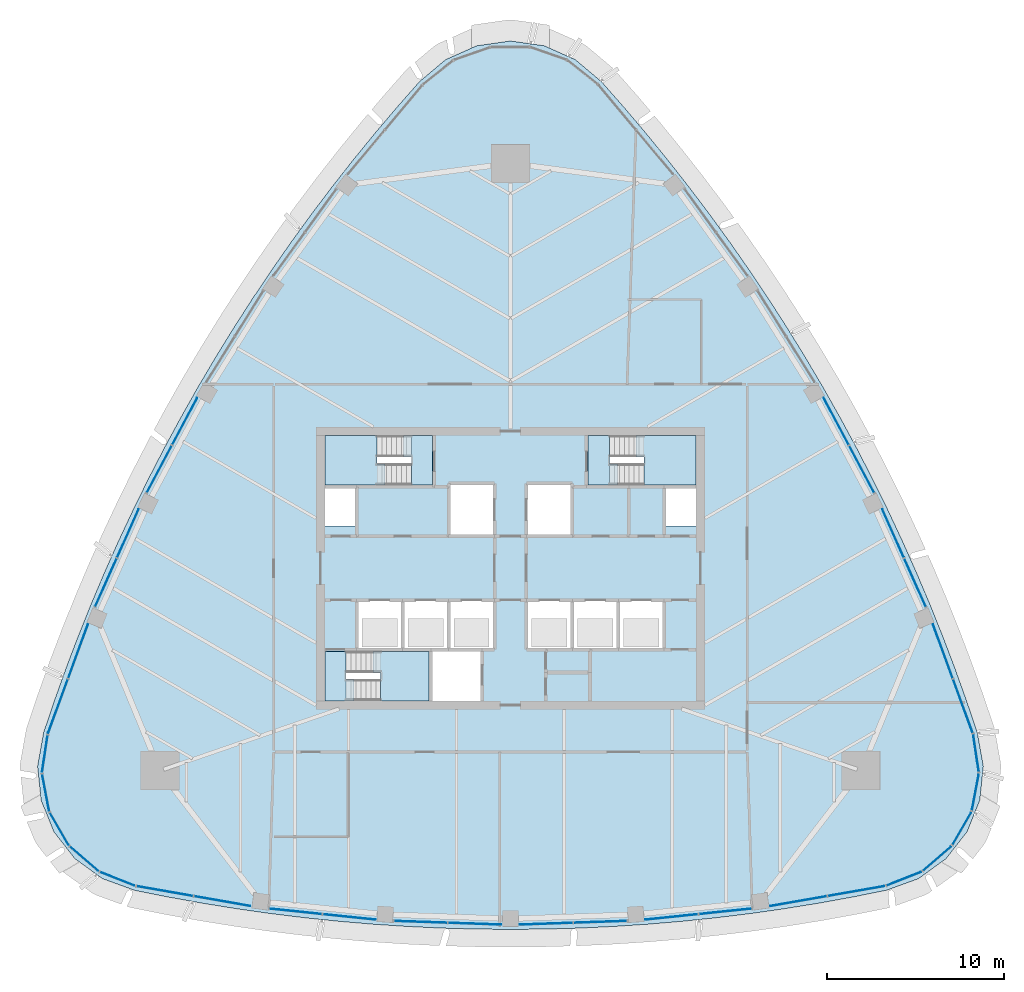
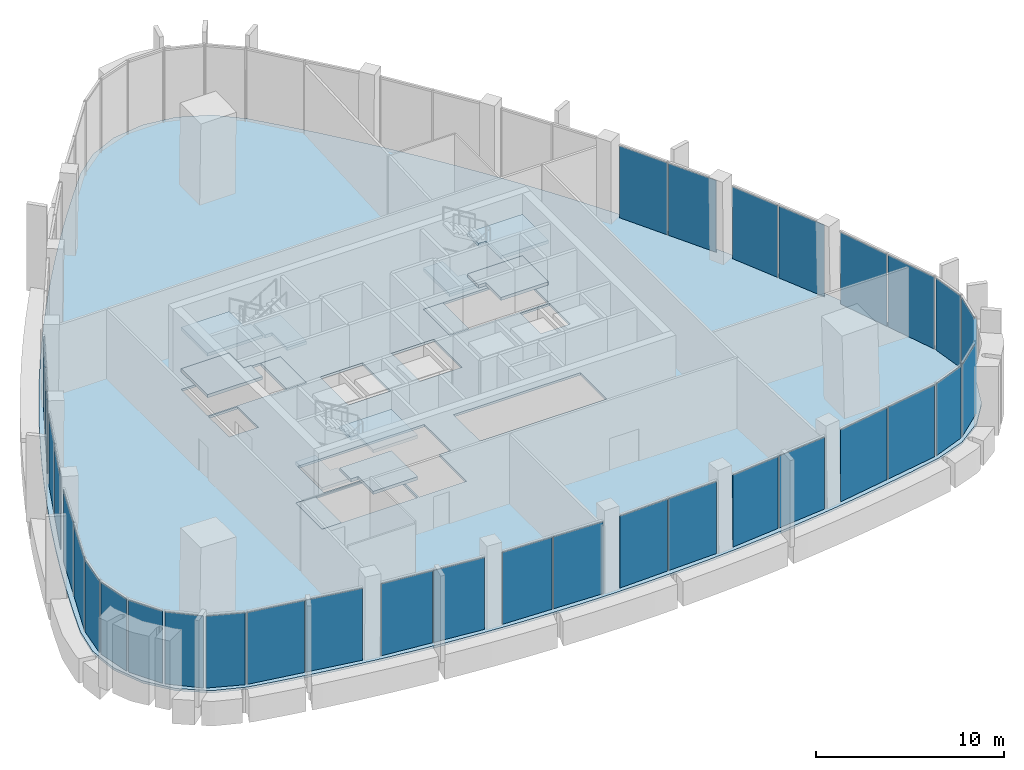
# One storey, part 7 of 19: 34 plates, 13 slabs, 25 elements without a shape of their own.
"""IFC4 building model written with IfcOpenShell, lengths in metres."""

from ifc_helpers import new_model, si_unit, direction, frame, origin, origin_2d, place, context, subcontext, project, spatial, polyline, rectangle, outline, extrude, material, layer, layer_set, type_object, element, aggregate, save


model = new_model("IFC4")

# Units and contexts
model_context = context("Model", 3, precision=1e-05, world=origin(), true_north=direction((0.0, 1.0)))
body_context = subcontext(model_context, "Body", "Model", "MODEL_VIEW")
ifc_project = project(units=[si_unit("LENGTHUNIT", "METRE"), si_unit("AREAUNIT", "SQUARE_METRE"), si_unit("VOLUMEUNIT", "CUBIC_METRE"), si_unit("PLANEANGLEUNIT", "RADIAN"), si_unit("MASSUNIT", "GRAM", prefix="KILO")], contexts=[model_context])

# Site, building, storey
site_placement = place(None, origin())
site = spatial("IfcSite", under=ifc_project, at=site_placement, CompositionType="ELEMENT")
building_placement = place(site_placement, origin())
building = spatial("IfcBuilding", under=site, at=building_placement, Name="Sierra Prisma Convention Tower", CompositionType="ELEMENT")
storey_placement = place(building_placement, frame((0.0, 0.0, 319.0)))
storey = spatial("IfcBuildingStorey", under=building, at=storey_placement, Name="L73", CompositionType="ELEMENT", Elevation=319.0)

# Curtain wall, plates
ifc_material_1 = material(Name="Aluminium and glass curtain wall", Category="aluminium")
ifc_layer_1 = layer(ifc_material_1, 0.179931640625)
ifc_layer_set_1 = layer_set([ifc_layer_1], Name="CW-1 Plain shaft curtain wall")
curtain_wall_type = type_object("IfcCurtainWallType", Name="CW-1 Plain shaft curtain wall", PredefinedType="NOTDEFINED", material=ifc_layer_set_1)
curtain_wall_1_placement = place(storey_placement, origin())
curtain_wall_1 = element("IfcCurtainWall", 1, at=curtain_wall_1_placement, inside=storey, type_object=curtain_wall_type, Name="CW-1 S1 L73", PredefinedType="NOTDEFINED")
ifc_material_2 = material(Name="Tinted glass bronze-grey IGU", Category="glass")
ifc_layer_2 = layer(ifc_material_2, 0.028076171875)
ifc_layer_set_2 = layer_set([ifc_layer_2], Name="CW-1 glass panel")
plate_type = type_object("IfcPlateType", Name="CW-1 glass panel", PredefinedType="CURTAIN_PANEL", material=ifc_layer_set_2)
plate_1_placement = place(storey_placement, frame((-19.557373046875, -18.269287109375, 0.0), z_axis=(0.0, 0.0, 1.0), x_axis=(0.985109293024, -0.171929290112, 0.0)))
plate_1 = element("IfcPlate", 2, at=plate_1_placement, type_object=plate_type, Name="CW-1 panel S1.1", PredefinedType="CURTAIN_PANEL", context=body_context, shape_type="SweptSolid", body=[
    extrude(rectangle(XDim=3.23095703125, YDim=0.028076171875, at=origin_2d()), origin(), (0.0, 0.0, 1.0), 4.679931640625),
])
plate_2_placement = place(storey_placement, frame((-16.305419921875, -18.8369140625, 0.0), z_axis=(0.0, 0.0, 1.0), x_axis=(0.985109293024, -0.171929290112, 0.0)))
plate_2 = element("IfcPlate", 3, at=plate_2_placement, type_object=plate_type, Name="CW-1 panel S1.2", PredefinedType="CURTAIN_PANEL", context=body_context, shape_type="SweptSolid", body=[
    extrude(rectangle(XDim=3.23095703125, YDim=0.028076171875, at=origin_2d()), origin(), (0.0, 0.0, 1.0), 4.679931640625),
])
aggregate(curtain_wall_1, [plate_1, plate_2])

curtain_wall_2_placement = place(storey_placement, origin())
curtain_wall_2 = element("IfcCurtainWall", 4, at=curtain_wall_2_placement, inside=storey, type_object=curtain_wall_type, Name="CW-1 S2 L73", PredefinedType="NOTDEFINED")
plate_3_placement = place(storey_placement, frame((-12.156982421875, -19.416748046875, 0.0), z_axis=(0.0, 0.0, 1.0), x_axis=(0.994630800027, -0.10348706024, 0.0)))
plate_3 = element("IfcPlate", 5, at=plate_3_placement, type_object=plate_type, Name="CW-1 panel S2.1", PredefinedType="CURTAIN_PANEL", context=body_context, shape_type="SweptSolid", body=[
    extrude(rectangle(XDim=2.984375, YDim=0.028076171875, at=origin_2d()), origin(), (0.0, 0.0, 1.0), 4.679931640625),
])
plate_4_placement = place(storey_placement, frame((-9.119140625, -19.73291015625, 0.0), z_axis=(0.0, 0.0, 1.0), x_axis=(0.994630800027, -0.10348706024, 0.0)))
plate_4 = element("IfcPlate", 6, at=plate_4_placement, type_object=plate_type, Name="CW-1 panel S2.2", PredefinedType="CURTAIN_PANEL", context=body_context, shape_type="SweptSolid", body=[
    extrude(rectangle(XDim=2.984375, YDim=0.028076171875, at=origin_2d()), origin(), (0.0, 0.0, 1.0), 4.679931640625),
])
aggregate(curtain_wall_2, [plate_3, plate_4])

curtain_wall_3_placement = place(storey_placement, origin())
curtain_wall_3 = element("IfcCurtainWall", 7, at=curtain_wall_3_placement, inside=storey, type_object=curtain_wall_type, Name="CW-1 S3 L73", PredefinedType="NOTDEFINED")
plate_5_placement = place(storey_placement, frame((-5.087158203125, -20.01123046875, 0.0), z_axis=(0.0, 0.0, 1.0), x_axis=(0.999402947023, -0.034550679888, 0.0)))
plate_5 = element("IfcPlate", 8, at=plate_5_placement, type_object=plate_type, Name="CW-1 panel S3.1", PredefinedType="CURTAIN_PANEL", context=body_context, shape_type="SweptSolid", body=[
    extrude(rectangle(XDim=3.0, YDim=0.028076171875, at=origin_2d()), origin(), (0.0, 0.0, 1.0), 4.679931640625),
])
plate_6_placement = place(storey_placement, frame((-2.018798828125, -20.117431640625, 0.0), z_axis=(0.0, 0.0, 1.0), x_axis=(0.999402947023, -0.034550679888, 0.0)))
plate_6 = element("IfcPlate", 9, at=plate_6_placement, type_object=plate_type, Name="CW-1 panel S3.2", PredefinedType="CURTAIN_PANEL", context=body_context, shape_type="SweptSolid", body=[
    extrude(rectangle(XDim=3.0, YDim=0.028076171875, at=origin_2d()), origin(), (0.0, 0.0, 1.0), 4.679931640625),
])
aggregate(curtain_wall_3, [plate_5, plate_6])

curtain_wall_4_placement = place(storey_placement, origin())
curtain_wall_4 = element("IfcCurtainWall", 10, at=curtain_wall_4_placement, inside=storey, type_object=curtain_wall_type, Name="CW-1 S4 L73", PredefinedType="NOTDEFINED")
plate_7_placement = place(storey_placement, frame((2.018798828125, -20.117431640625, 0.0), z_axis=(0.0, 0.0, 1.0), x_axis=(0.999402947023, 0.034550679888, 0.0)))
plate_7 = element("IfcPlate", 11, at=plate_7_placement, type_object=plate_type, Name="CW-1 panel S4.1", PredefinedType="CURTAIN_PANEL", context=body_context, shape_type="SweptSolid", body=[
    extrude(rectangle(XDim=3.0, YDim=0.028076171875, at=origin_2d()), origin(), (0.0, 0.0, 1.0), 4.679931640625),
])
plate_8_placement = place(storey_placement, frame((5.087158203125, -20.01123046875, 0.0), z_axis=(0.0, 0.0, 1.0), x_axis=(0.999402947023, 0.034550679888, 0.0)))
plate_8 = element("IfcPlate", 12, at=plate_8_placement, type_object=plate_type, Name="CW-1 panel S4.2", PredefinedType="CURTAIN_PANEL", context=body_context, shape_type="SweptSolid", body=[
    extrude(rectangle(XDim=3.0, YDim=0.028076171875, at=origin_2d()), origin(), (0.0, 0.0, 1.0), 4.679931640625),
])
aggregate(curtain_wall_4, [plate_7, plate_8])

curtain_wall_5_placement = place(storey_placement, origin())
curtain_wall_5 = element("IfcCurtainWall", 13, at=curtain_wall_5_placement, inside=storey, type_object=curtain_wall_type, Name="CW-1 S5 L73", PredefinedType="NOTDEFINED")
plate_9_placement = place(storey_placement, frame((9.119140625, -19.73291015625, 0.0), z_axis=(0.0, 0.0, 1.0), x_axis=(0.994630800027, 0.10348706024, 0.0)))
plate_9 = element("IfcPlate", 14, at=plate_9_placement, type_object=plate_type, Name="CW-1 panel S5.1", PredefinedType="CURTAIN_PANEL", context=body_context, shape_type="SweptSolid", body=[
    extrude(rectangle(XDim=2.984375, YDim=0.028076171875, at=origin_2d()), origin(), (0.0, 0.0, 1.0), 4.679931640625),
])
plate_10_placement = place(storey_placement, frame((12.156982421875, -19.416748046875, 0.0), z_axis=(0.0, 0.0, 1.0), x_axis=(0.994630800027, 0.10348706024, 0.0)))
plate_10 = element("IfcPlate", 15, at=plate_10_placement, type_object=plate_type, Name="CW-1 panel S5.2", PredefinedType="CURTAIN_PANEL", context=body_context, shape_type="SweptSolid", body=[
    extrude(rectangle(XDim=2.984375, YDim=0.028076171875, at=origin_2d()), origin(), (0.0, 0.0, 1.0), 4.679931640625),
])
aggregate(curtain_wall_5, [plate_9, plate_10])

curtain_wall_6_placement = place(storey_placement, origin())
curtain_wall_6 = element("IfcCurtainWall", 16, at=curtain_wall_6_placement, inside=storey, type_object=curtain_wall_type, Name="CW-1 S6 L73", PredefinedType="NOTDEFINED")
plate_11_placement = place(storey_placement, frame((16.305419921875, -18.8369140625, 0.0), z_axis=(0.0, 0.0, 1.0), x_axis=(0.985109293024, 0.171929290112, 0.0)))
plate_11 = element("IfcPlate", 17, at=plate_11_placement, type_object=plate_type, Name="CW-1 panel S6.1", PredefinedType="CURTAIN_PANEL", context=body_context, shape_type="SweptSolid", body=[
    extrude(rectangle(XDim=3.23095703125, YDim=0.028076171875, at=origin_2d()), origin(), (0.0, 0.0, 1.0), 4.679931640625),
])
plate_12_placement = place(storey_placement, frame((19.557373046875, -18.269287109375, 0.0), z_axis=(0.0, 0.0, 1.0), x_axis=(0.985109293024, 0.171929290112, 0.0)))
plate_12 = element("IfcPlate", 18, at=plate_12_placement, type_object=plate_type, Name="CW-1 panel S6.2", PredefinedType="CURTAIN_PANEL", context=body_context, shape_type="SweptSolid", body=[
    extrude(rectangle(XDim=3.23095703125, YDim=0.028076171875, at=origin_2d()), origin(), (0.0, 0.0, 1.0), 4.679931640625),
])
aggregate(curtain_wall_6, [plate_11, plate_12])

# Curtain wall, plate
curtain_wall_7_placement = place(storey_placement, origin())
curtain_wall_7 = element("IfcCurtainWall", 19, at=curtain_wall_7_placement, inside=storey, type_object=curtain_wall_type, Name="CW-1 SE1 L73", PredefinedType="NOTDEFINED")
plate_13_placement = place(storey_placement, frame((22.25439453125, -17.571044921875, 0.0), z_axis=(0.0, 0.0, 1.0), x_axis=(0.930391911292, 0.366566353342, 0.0)))
plate_13 = element("IfcPlate", 20, at=plate_13_placement, type_object=plate_type, Name="CW-1 panel SE1.1", PredefinedType="CURTAIN_PANEL", context=body_context, shape_type="SweptSolid", body=[
    extrude(rectangle(XDim=2.08837890625, YDim=0.028076171875, at=origin_2d()), origin(), (0.0, 0.0, 1.0), 4.679931640625),
])
aggregate(curtain_wall_7, [plate_13])

curtain_wall_8_placement = place(storey_placement, origin())
curtain_wall_8 = element("IfcCurtainWall", 21, at=curtain_wall_8_placement, inside=storey, type_object=curtain_wall_type, Name="CW-1 SE2 L73", PredefinedType="NOTDEFINED")
plate_14_placement = place(storey_placement, frame((24.135009765625, -16.435302734375, 0.0), z_axis=(0.0, 0.0, 1.0), x_axis=(0.757542137924, 0.652786266146, 0.0)))
plate_14 = element("IfcPlate", 22, at=plate_14_placement, type_object=plate_type, Name="CW-1 panel SE2.1", PredefinedType="CURTAIN_PANEL", context=body_context, shape_type="SweptSolid", body=[
    extrude(rectangle(XDim=2.08837890625, YDim=0.028076171875, at=origin_2d()), origin(), (0.0, 0.0, 1.0), 4.679931640625),
])
aggregate(curtain_wall_8, [plate_14])

curtain_wall_9_placement = place(storey_placement, origin())
curtain_wall_9 = element("IfcCurtainWall", 23, at=curtain_wall_9_placement, inside=storey, type_object=curtain_wall_type, Name="CW-1 SE3 L73", PredefinedType="NOTDEFINED")
plate_15_placement = place(storey_placement, frame((25.5361328125, -14.7431640625, 0.0), z_axis=(0.0, 0.0, 1.0), x_axis=(0.5, 0.866025403784, 0.0)))
plate_15 = element("IfcPlate", 24, at=plate_15_placement, type_object=plate_type, Name="CW-1 panel SE3.1", PredefinedType="CURTAIN_PANEL", context=body_context, shape_type="SweptSolid", body=[
    extrude(rectangle(XDim=2.08837890625, YDim=0.028076171875, at=origin_2d()), origin(), (0.0, 0.0, 1.0), 4.679931640625),
])
aggregate(curtain_wall_9, [plate_15])

curtain_wall_10_placement = place(storey_placement, origin())
curtain_wall_10 = element("IfcCurtainWall", 25, at=curtain_wall_10_placement, inside=storey, type_object=curtain_wall_type, Name="CW-1 SE4 L73", PredefinedType="NOTDEFINED")
plate_16_placement = place(storey_placement, frame((26.301025390625, -12.683837890625, 0.0), z_axis=(0.0, 0.0, 1.0), x_axis=(0.186558420762, 0.982443868953, 0.0)))
plate_16 = element("IfcPlate", 26, at=plate_16_placement, type_object=plate_type, Name="CW-1 panel SE4.1", PredefinedType="CURTAIN_PANEL", context=body_context, shape_type="SweptSolid", body=[
    extrude(rectangle(XDim=2.08837890625, YDim=0.028076171875, at=origin_2d()), origin(), (0.0, 0.0, 1.0), 4.679931640625),
])
aggregate(curtain_wall_10, [plate_16])

curtain_wall_11_placement = place(storey_placement, origin())
curtain_wall_11 = element("IfcCurtainWall", 27, at=curtain_wall_11_placement, inside=storey, type_object=curtain_wall_type, Name="CW-1 SE5 L73", PredefinedType="NOTDEFINED")
plate_17_placement = place(storey_placement, frame((26.34423828125, -10.4873046875, 0.0), z_axis=(0.0, 0.0, 1.0), x_axis=(-0.147740181479, 0.989026207325, 0.0)))
plate_17 = element("IfcPlate", 28, at=plate_17_placement, type_object=plate_type, Name="CW-1 panel SE5.1", PredefinedType="CURTAIN_PANEL", context=body_context, shape_type="SweptSolid", body=[
    extrude(rectangle(XDim=2.08837890625, YDim=0.028076171875, at=origin_2d()), origin(), (0.0, 0.0, 1.0), 4.679931640625),
])
aggregate(curtain_wall_11, [plate_17])

# Curtain wall, plates
curtain_wall_12_placement = place(storey_placement, origin())
curtain_wall_12 = element("IfcCurtainWall", 29, at=curtain_wall_12_placement, inside=storey, type_object=curtain_wall_type, Name="CW-1 NE1 L73", PredefinedType="NOTDEFINED")
plate_18_placement = place(storey_placement, frame((25.600341796875, -7.802490234375, 0.0), z_axis=(0.0, 0.0, 1.0), x_axis=(-0.34365951362, 0.939094318319, 0.0)))
plate_18 = element("IfcPlate", 30, at=plate_18_placement, type_object=plate_type, Name="CW-1 panel NE1.1", PredefinedType="CURTAIN_PANEL", context=body_context, shape_type="SweptSolid", body=[
    extrude(rectangle(XDim=3.23095703125, YDim=0.028076171875, at=origin_2d()), origin(), (0.0, 0.0, 1.0), 4.679931640625),
])
plate_19_placement = place(storey_placement, frame((24.4658203125, -4.702392578125, 0.0), z_axis=(0.0, 0.0, 1.0), x_axis=(-0.34365951362, 0.939094318319, 0.0)))
plate_19 = element("IfcPlate", 31, at=plate_19_placement, type_object=plate_type, Name="CW-1 panel NE1.2", PredefinedType="CURTAIN_PANEL", context=body_context, shape_type="SweptSolid", body=[
    extrude(rectangle(XDim=3.23095703125, YDim=0.028076171875, at=origin_2d()), origin(), (0.0, 0.0, 1.0), 4.679931640625),
])
aggregate(curtain_wall_12, [plate_18, plate_19])

curtain_wall_13_placement = place(storey_placement, origin())
curtain_wall_13 = element("IfcCurtainWall", 32, at=curtain_wall_13_placement, inside=storey, type_object=curtain_wall_type, Name="CW-1 NE2 L73", PredefinedType="NOTDEFINED")
plate_20_placement = place(storey_placement, frame((22.89404296875, -0.820068359375, 0.0), z_axis=(0.0, 0.0, 1.0), x_axis=(-0.407692976883, 0.91311907033, 0.0)))
plate_20 = element("IfcPlate", 33, at=plate_20_placement, type_object=plate_type, Name="CW-1 panel NE2.1", PredefinedType="CURTAIN_PANEL", context=body_context, shape_type="SweptSolid", body=[
    extrude(rectangle(XDim=2.984375, YDim=0.028076171875, at=origin_2d()), origin(), (0.0, 0.0, 1.0), 4.679931640625),
])
plate_21_placement = place(storey_placement, frame((21.648681640625, 1.968994140625, 0.0), z_axis=(0.0, 0.0, 1.0), x_axis=(-0.407692976883, 0.91311907033, 0.0)))
plate_21 = element("IfcPlate", 34, at=plate_21_placement, type_object=plate_type, Name="CW-1 panel NE2.2", PredefinedType="CURTAIN_PANEL", context=body_context, shape_type="SweptSolid", body=[
    extrude(rectangle(XDim=2.984375, YDim=0.028076171875, at=origin_2d()), origin(), (0.0, 0.0, 1.0), 4.679931640625),
])
aggregate(curtain_wall_13, [plate_20, plate_21])

curtain_wall_14_placement = place(storey_placement, origin())
curtain_wall_14 = element("IfcCurtainWall", 35, at=curtain_wall_14_placement, inside=storey, type_object=curtain_wall_type, Name="CW-1 NE3 L73", PredefinedType="NOTDEFINED")
plate_22_placement = place(storey_placement, frame((19.873779296875, 5.60009765625, 0.0), z_axis=(0.0, 0.0, 1.0), x_axis=(-0.46977970701, 0.882783680684, 0.0)))
plate_22 = element("IfcPlate", 36, at=plate_22_placement, type_object=plate_type, Name="CW-1 panel NE3.1", PredefinedType="CURTAIN_PANEL", context=body_context, shape_type="SweptSolid", body=[
    extrude(rectangle(XDim=3.000244140625, YDim=0.028076171875, at=origin_2d()), origin(), (0.0, 0.0, 1.0), 4.679931640625),
])
plate_23_placement = place(storey_placement, frame((18.431640625, 8.310302734375, 0.0), z_axis=(0.0, 0.0, 1.0), x_axis=(-0.46977970701, 0.882783680684, 0.0)))
plate_23 = element("IfcPlate", 37, at=plate_23_placement, type_object=plate_type, Name="CW-1 panel NE3.2", PredefinedType="CURTAIN_PANEL", context=body_context, shape_type="SweptSolid", body=[
    extrude(rectangle(XDim=3.000244140625, YDim=0.028076171875, at=origin_2d()), origin(), (0.0, 0.0, 1.0), 4.679931640625),
])
aggregate(curtain_wall_14, [plate_22, plate_23])

curtain_wall_15_placement = place(storey_placement, origin())
curtain_wall_15 = element("IfcCurtainWall", 38, at=curtain_wall_15_placement, inside=storey, type_object=curtain_wall_type, Name="CW-1 NW4 L73", PredefinedType="NOTDEFINED")
plate_24_placement = place(storey_placement, frame((-18.431640625, 8.310302734375, 0.0), z_axis=(0.0, 0.0, 1.0), x_axis=(-0.46977970701, -0.882783680684, 0.0)))
plate_24 = element("IfcPlate", 39, at=plate_24_placement, type_object=plate_type, Name="CW-1 panel NW4.1", PredefinedType="CURTAIN_PANEL", context=body_context, shape_type="SweptSolid", body=[
    extrude(rectangle(XDim=3.0, YDim=0.028076171875, at=origin_2d()), origin(), (0.0, 0.0, 1.0), 4.679931640625),
])
plate_25_placement = place(storey_placement, frame((-19.873779296875, 5.60009765625, 0.0), z_axis=(0.0, 0.0, 1.0), x_axis=(-0.46977970701, -0.882783680684, 0.0)))
plate_25 = element("IfcPlate", 40, at=plate_25_placement, type_object=plate_type, Name="CW-1 panel NW4.2", PredefinedType="CURTAIN_PANEL", context=body_context, shape_type="SweptSolid", body=[
    extrude(rectangle(XDim=3.0, YDim=0.028076171875, at=origin_2d()), origin(), (0.0, 0.0, 1.0), 4.679931640625),
])
aggregate(curtain_wall_15, [plate_24, plate_25])

curtain_wall_16_placement = place(storey_placement, origin())
curtain_wall_16 = element("IfcCurtainWall", 41, at=curtain_wall_16_placement, inside=storey, type_object=curtain_wall_type, Name="CW-1 NW5 L73", PredefinedType="NOTDEFINED")
plate_26_placement = place(storey_placement, frame((-21.648681640625, 1.968994140625, 0.0), z_axis=(0.0, 0.0, 1.0), x_axis=(-0.407692976883, -0.91311907033, 0.0)))
plate_26 = element("IfcPlate", 42, at=plate_26_placement, type_object=plate_type, Name="CW-1 panel NW5.1", PredefinedType="CURTAIN_PANEL", context=body_context, shape_type="SweptSolid", body=[
    extrude(rectangle(XDim=2.984375, YDim=0.028076171875, at=origin_2d()), origin(), (0.0, 0.0, 1.0), 4.679931640625),
])
plate_27_placement = place(storey_placement, frame((-22.89404296875, -0.81982421875, 0.0), z_axis=(0.0, 0.0, 1.0), x_axis=(-0.407692976883, -0.91311907033, 0.0)))
plate_27 = element("IfcPlate", 43, at=plate_27_placement, type_object=plate_type, Name="CW-1 panel NW5.2", PredefinedType="CURTAIN_PANEL", context=body_context, shape_type="SweptSolid", body=[
    extrude(rectangle(XDim=2.984375, YDim=0.028076171875, at=origin_2d()), origin(), (0.0, 0.0, 1.0), 4.679931640625),
])
aggregate(curtain_wall_16, [plate_26, plate_27])

curtain_wall_17_placement = place(storey_placement, origin())
curtain_wall_17 = element("IfcCurtainWall", 44, at=curtain_wall_17_placement, inside=storey, type_object=curtain_wall_type, Name="CW-1 NW6 L73", PredefinedType="NOTDEFINED")
plate_28_placement = place(storey_placement, frame((-24.4658203125, -4.702392578125, 0.0), z_axis=(0.0, 0.0, 1.0), x_axis=(-0.34365951362, -0.939094318319, 0.0)))
plate_28 = element("IfcPlate", 45, at=plate_28_placement, type_object=plate_type, Name="CW-1 panel NW6.1", PredefinedType="CURTAIN_PANEL", context=body_context, shape_type="SweptSolid", body=[
    extrude(rectangle(XDim=3.23095703125, YDim=0.028076171875, at=origin_2d()), origin(), (0.0, 0.0, 1.0), 4.679931640625),
])
plate_29_placement = place(storey_placement, frame((-25.600341796875, -7.802490234375, 0.0), z_axis=(0.0, 0.0, 1.0), x_axis=(-0.34365951362, -0.939094318319, 0.0)))
plate_29 = element("IfcPlate", 46, at=plate_29_placement, type_object=plate_type, Name="CW-1 panel NW6.2", PredefinedType="CURTAIN_PANEL", context=body_context, shape_type="SweptSolid", body=[
    extrude(rectangle(XDim=3.23095703125, YDim=0.028076171875, at=origin_2d()), origin(), (0.0, 0.0, 1.0), 4.679931640625),
])
aggregate(curtain_wall_17, [plate_28, plate_29])

# Curtain wall, plate
curtain_wall_18_placement = place(storey_placement, origin())
curtain_wall_18 = element("IfcCurtainWall", 47, at=curtain_wall_18_placement, inside=storey, type_object=curtain_wall_type, Name="CW-1 SW1 L73", PredefinedType="NOTDEFINED")
plate_30_placement = place(storey_placement, frame((-26.34423828125, -10.4873046875, 0.0), z_axis=(0.0, 0.0, 1.0), x_axis=(-0.147740181479, -0.989026207325, 0.0)))
plate_30 = element("IfcPlate", 48, at=plate_30_placement, type_object=plate_type, Name="CW-1 panel SW1.1", PredefinedType="CURTAIN_PANEL", context=body_context, shape_type="SweptSolid", body=[
    extrude(rectangle(XDim=2.08837890625, YDim=0.028076171875, at=origin_2d()), origin(), (0.0, 0.0, 1.0), 4.679931640625),
])
aggregate(curtain_wall_18, [plate_30])

curtain_wall_19_placement = place(storey_placement, origin())
curtain_wall_19 = element("IfcCurtainWall", 49, at=curtain_wall_19_placement, inside=storey, type_object=curtain_wall_type, Name="CW-1 SW2 L73", PredefinedType="NOTDEFINED")
plate_31_placement = place(storey_placement, frame((-26.301025390625, -12.683837890625, 0.0), z_axis=(0.0, 0.0, 1.0), x_axis=(0.186558420762, -0.982443868953, 0.0)))
plate_31 = element("IfcPlate", 50, at=plate_31_placement, type_object=plate_type, Name="CW-1 panel SW2.1", PredefinedType="CURTAIN_PANEL", context=body_context, shape_type="SweptSolid", body=[
    extrude(rectangle(XDim=2.08837890625, YDim=0.028076171875, at=origin_2d()), origin(), (0.0, 0.0, 1.0), 4.679931640625),
])
aggregate(curtain_wall_19, [plate_31])

curtain_wall_20_placement = place(storey_placement, origin())
curtain_wall_20 = element("IfcCurtainWall", 51, at=curtain_wall_20_placement, inside=storey, type_object=curtain_wall_type, Name="CW-1 SW3 L73", PredefinedType="NOTDEFINED")
plate_32_placement = place(storey_placement, frame((-25.5361328125, -14.7431640625, 0.0), z_axis=(0.0, 0.0, 1.0), x_axis=(0.5, -0.866025403784, 0.0)))
plate_32 = element("IfcPlate", 52, at=plate_32_placement, type_object=plate_type, Name="CW-1 panel SW3.1", PredefinedType="CURTAIN_PANEL", context=body_context, shape_type="SweptSolid", body=[
    extrude(rectangle(XDim=2.08837890625, YDim=0.028076171875, at=origin_2d()), origin(), (0.0, 0.0, 1.0), 4.679931640625),
])
aggregate(curtain_wall_20, [plate_32])

curtain_wall_21_placement = place(storey_placement, origin())
curtain_wall_21 = element("IfcCurtainWall", 53, at=curtain_wall_21_placement, inside=storey, type_object=curtain_wall_type, Name="CW-1 SW4 L73", PredefinedType="NOTDEFINED")
plate_33_placement = place(storey_placement, frame((-24.135009765625, -16.435302734375, 0.0), z_axis=(0.0, 0.0, 1.0), x_axis=(0.757542137924, -0.652786266146, 0.0)))
plate_33 = element("IfcPlate", 54, at=plate_33_placement, type_object=plate_type, Name="CW-1 panel SW4.1", PredefinedType="CURTAIN_PANEL", context=body_context, shape_type="SweptSolid", body=[
    extrude(rectangle(XDim=2.08837890625, YDim=0.028076171875, at=origin_2d()), origin(), (0.0, 0.0, 1.0), 4.679931640625),
])
aggregate(curtain_wall_21, [plate_33])

curtain_wall_22_placement = place(storey_placement, origin())
curtain_wall_22 = element("IfcCurtainWall", 55, at=curtain_wall_22_placement, inside=storey, type_object=curtain_wall_type, Name="CW-1 SW5 L73", PredefinedType="NOTDEFINED")
plate_34_placement = place(storey_placement, frame((-22.25439453125, -17.571044921875, 0.0), z_axis=(0.0, 0.0, 1.0), x_axis=(0.930391911292, -0.366566353342, 0.0)))
plate_34 = element("IfcPlate", 56, at=plate_34_placement, type_object=plate_type, Name="CW-1 panel SW5.1", PredefinedType="CURTAIN_PANEL", context=body_context, shape_type="SweptSolid", body=[
    extrude(rectangle(XDim=2.08837890625, YDim=0.028076171875, at=origin_2d()), origin(), (0.0, 0.0, 1.0), 4.679931640625),
])
aggregate(curtain_wall_22, [plate_34])

# Slab
ifc_material_3 = material(Name="Concrete C35/45", Category="concrete")
ifc_layer_3 = layer(ifc_material_3, 0.14990234375)
ifc_layer_set_3 = layer_set([ifc_layer_3], Name="Composite floor slab 150")
slab_type_1 = type_object("IfcSlabType", Name="Composite floor slab 150", PredefinedType="FLOOR", material=ifc_layer_set_3)
slab_1_placement = place(storey_placement, frame((0.0, 0.0, -0.14990234375)))
element("IfcSlab", 57, at=slab_1_placement, inside=storey, type_object=slab_type_1, Name="Floor slab L73 floor", PredefinedType="FLOOR", context=body_context, shape_type="SweptSolid", body=[
    extrude(outline(polyline([(-21.269287109375, -18.22412109375), (-19.35986328125, -18.607177734375), (-17.443359375, -18.953857421875), (-15.52099609375, -19.2646484375), (-13.593017578125, -19.5390625), (-11.66015625, -19.777099609375), (-9.72314453125, -19.978515625), (-7.782470703125, -20.1435546875), (-5.83935546875, -20.27197265625), (-3.89404296875, -20.36376953125), (-1.947265625, -20.418701171875), (0.0, -20.437255859375), (1.947265625, -20.418701171875), (3.89404296875, -20.36376953125), (5.83935546875, -20.27197265625), (7.782470703125, -20.1435546875), (9.72314453125, -19.978515625), (11.66015625, -19.777099609375), (13.593017578125, -19.5390625), (15.52099609375, -19.2646484375), (17.443359375, -18.953857421875), (19.35986328125, -18.607177734375), (21.269287109375, -18.22412109375), (23.083251953125, -17.5673828125), (24.6455078125, -16.43505859375), (25.833740234375, -14.9150390625), (26.555908203125, -13.1259765625), (26.755615234375, -11.20703125), (26.417236328125, -9.3076171875), (25.794189453125, -7.46240234375), (25.13623046875, -5.62939453125), (24.444091796875, -3.80908203125), (23.7177734375, -2.002197265625), (22.95751953125, -0.209228515625), (22.16357421875, 1.56884765625), (21.336181640625, 3.331787109375), (20.475830078125, 5.078857421875), (19.58251953125, 6.8095703125), (18.656982421875, 8.52294921875), (17.698974609375, 10.218505859375), (16.70947265625, 11.895751953125), (15.6884765625, 13.55419921875), (14.636474609375, 15.193115234375), (13.553466796875, 16.811767578125), (12.4404296875, 18.40966796875), (11.29736328125, 19.986328125), (10.125, 21.541259765625), (8.92333984375, 23.073974609375), (7.69287109375, 24.58349609375), (6.434326171875, 26.069580078125), (5.14794921875, 27.53173828125), (3.672119140625, 28.7744140625), (1.910400390625, 29.56103515625), (0.0, 29.830322265625), (-1.910400390625, 29.56103515625), (-3.672119140625, 28.7744140625), (-5.14794921875, 27.53173828125), (-6.434326171875, 26.069580078125), (-7.69287109375, 24.58349609375), (-8.92333984375, 23.073974609375), (-10.125, 21.541259765625), (-11.29736328125, 19.986328125), (-12.4404296875, 18.40966796875), (-13.553466796875, 16.811767578125), (-14.636474609375, 15.193115234375), (-15.6884765625, 13.55419921875), (-16.70947265625, 11.895751953125), (-17.698974609375, 10.218505859375), (-18.656982421875, 8.52294921875), (-19.58251953125, 6.8095703125), (-20.475830078125, 5.078857421875), (-21.336181640625, 3.331787109375), (-22.16357421875, 1.56884765625), (-22.95751953125, -0.209228515625), (-23.7177734375, -2.002197265625), (-24.444091796875, -3.80908203125), (-25.13623046875, -5.62939453125), (-25.794189453125, -7.46240234375), (-26.417236328125, -9.3076171875), (-26.755615234375, -11.20703125), (-26.555908203125, -13.1259765625), (-25.833740234375, -14.9150390625), (-24.6455078125, -16.43505859375), (-23.083251953125, -17.5673828125), (-21.269287109375, -18.22412109375)]), holes=[polyline([(-4.60009765625, -4.699951171875), (-4.60009765625, -7.5), (-10.5, -7.5), (-10.5, -4.699951171875), (-4.60009765625, -4.699951171875)]), polyline([(-4.5, -7.5), (-4.5, -4.60009765625), (-6.10009765625, -4.60009765625), (-8.699951171875, -4.60009765625), (-8.699951171875, -1.800048828125), (-6.10009765625, -1.800048828125), (-3.5, -1.800048828125), (-0.89990234375, -1.800048828125), (-0.89990234375, -4.60009765625), (-1.60009765625, -4.60009765625), (-1.60009765625, -7.5), (-4.5, -7.5)]), polyline([(-8.699951171875, 2.39990234375), (-10.5, 2.39990234375), (-10.5, 4.60009765625), (-8.699951171875, 4.60009765625), (-8.699951171875, 2.39990234375)]), polyline([(-4.39990234375, 4.699951171875), (-10.5, 4.699951171875), (-10.5, 7.5), (-4.39990234375, 7.5), (-4.39990234375, 4.699951171875)]), polyline([(3.5, -1.800048828125), (6.10009765625, -1.800048828125), (8.699951171875, -1.800048828125), (8.699951171875, -4.60009765625), (6.10009765625, -4.60009765625), (3.5, -4.60009765625), (0.89990234375, -4.60009765625), (0.89990234375, -1.800048828125), (3.5, -1.800048828125)]), polyline([(-0.89990234375, 1.800048828125), (-3.5, 1.800048828125), (-3.5, 4.800048828125), (-0.89990234375, 4.800048828125), (-0.89990234375, 1.800048828125)]), polyline([(3.5, 1.800048828125), (0.89990234375, 1.800048828125), (0.89990234375, 4.800048828125), (3.5, 4.800048828125), (3.5, 1.800048828125)]), polyline([(10.5, 2.39990234375), (8.699951171875, 2.39990234375), (8.699951171875, 4.60009765625), (10.5, 4.60009765625), (10.5, 2.39990234375)]), polyline([(10.5, 4.699951171875), (4.39990234375, 4.699951171875), (4.39990234375, 7.5), (10.5, 7.5), (10.5, 4.699951171875)])]), origin(), (0.0, 0.0, 1.0), 0.14990234375),
])

# Stair, slabs
ifc_material_4 = material(Name="Concrete C30/37", Category="concrete")
stair_type = type_object("IfcStairType", Name="Stair dog-leg 1200 RC", PredefinedType="HALF_TURN_STAIR", material=ifc_material_4)
stair_1_placement = place(storey_placement, origin())
stair_1 = element("IfcStair", 58, at=stair_1_placement, inside=storey, type_object=stair_type, Name="L73 S1", PredefinedType="HALF_TURN_STAIR")
ifc_material_5 = material(Name="Concrete C35/45", Category="concrete")
ifc_layer_4 = layer(ifc_material_5, 0.199951171875)
ifc_layer_set_4 = layer_set([ifc_layer_4], Name="Stair landing slab")
slab_type_2 = type_object("IfcSlabType", Name="Stair landing slab", PredefinedType="LANDING", material=ifc_layer_set_4)
slab_2_placement = place(storey_placement, frame((0.0, 0.0, 1.14990234375)))
slab_2 = element("IfcSlab", 59, at=slab_2_placement, type_object=slab_type_2, Name="S1 landing 1", PredefinedType="LANDING", context=body_context, shape_type="SweptSolid", body=[
    extrude(outline(polyline([(-4.60009765625, -4.699951171875), (-4.60009765625, -7.5), (-7.342041015625, -7.5), (-7.342041015625, -5.89990234375), (-7.7900390625, -5.89990234375), (-7.7900390625, -4.699951171875), (-4.60009765625, -4.699951171875)])), origin(), (0.0, 0.0, 1.0), 0.2001953125),
])
slab_3_placement = place(storey_placement, frame((0.0, 0.0, 2.5)))
slab_3 = element("IfcSlab", 60, at=slab_3_placement, type_object=slab_type_2, Name="S1 landing 2", PredefinedType="LANDING", context=body_context, shape_type="SweptSolid", body=[
    extrude(outline(polyline([(-10.5, -7.5), (-10.5, -4.699951171875), (-9.298095703125, -4.699951171875), (-9.298095703125, -6.300048828125), (-8.85009765625, -6.300048828125), (-8.85009765625, -7.5), (-10.5, -7.5)])), origin(), (0.0, 0.0, 1.0), 0.199951171875),
])
slab_4_placement = place(storey_placement, frame((0.0, 0.0, 3.85009765625)))
slab_4 = element("IfcSlab", 61, at=slab_4_placement, type_object=slab_type_2, Name="S1 landing 3", PredefinedType="LANDING", context=body_context, shape_type="SweptSolid", body=[
    extrude(outline(polyline([(-4.60009765625, -4.699951171875), (-4.60009765625, -7.5), (-7.342041015625, -7.5), (-7.342041015625, -5.89990234375), (-7.7900390625, -5.89990234375), (-7.7900390625, -4.699951171875), (-4.60009765625, -4.699951171875)])), origin(), (0.0, 0.0, 1.0), 0.199951171875),
])
aggregate(stair_1, [slab_2, slab_3, slab_4])

# Slab
slab_5_placement = place(storey_placement, frame((0.0, 0.0, -0.199951171875)))
element("IfcSlab", 62, at=slab_5_placement, inside=storey, type_object=slab_type_2, Name="S1 floor landing L73", PredefinedType="LANDING", context=body_context, shape_type="SweptSolid", body=[
    extrude(outline(polyline([(-10.5, -7.5), (-9.298095703125, -7.5), (-9.298095703125, -4.699951171875), (-10.5, -4.699951171875), (-10.5, -7.5)])), origin(), (0.0, 0.0, 1.0), 0.199951171875),
])

# Stair, slabs
stair_2_placement = place(storey_placement, origin())
stair_2 = element("IfcStair", 63, at=stair_2_placement, inside=storey, type_object=stair_type, Name="L73 S3", PredefinedType="HALF_TURN_STAIR")
slab_6_placement = place(storey_placement, frame((0.0, 0.0, 1.14990234375)))
slab_6 = element("IfcSlab", 64, at=slab_6_placement, type_object=slab_type_2, Name="S3 landing 1", PredefinedType="LANDING", context=body_context, shape_type="SweptSolid", body=[
    extrude(outline(polyline([(-7.110107421875, 5.89990234375), (-7.110107421875, 4.699951171875), (-10.5, 4.699951171875), (-10.5, 7.5), (-7.55810546875, 7.5), (-7.55810546875, 5.89990234375), (-7.110107421875, 5.89990234375)])), origin(), (0.0, 0.0, 1.0), 0.2001953125),
])
slab_7_placement = place(storey_placement, frame((0.0, 0.0, 2.5)))
slab_7 = element("IfcSlab", 65, at=slab_7_placement, type_object=slab_type_2, Name="S3 landing 2", PredefinedType="LANDING", context=body_context, shape_type="SweptSolid", body=[
    extrude(outline(polyline([(-4.39990234375, 7.5), (-4.39990234375, 4.699951171875), (-5.60205078125, 4.699951171875), (-5.60205078125, 6.300048828125), (-6.050048828125, 6.300048828125), (-6.050048828125, 7.5), (-4.39990234375, 7.5)])), origin(), (0.0, 0.0, 1.0), 0.199951171875),
])
slab_8_placement = place(storey_placement, frame((0.0, 0.0, 3.85009765625)))
slab_8 = element("IfcSlab", 66, at=slab_8_placement, type_object=slab_type_2, Name="S3 landing 3", PredefinedType="LANDING", context=body_context, shape_type="SweptSolid", body=[
    extrude(outline(polyline([(-7.110107421875, 5.89990234375), (-7.110107421875, 4.699951171875), (-10.5, 4.699951171875), (-10.5, 7.5), (-7.55810546875, 7.5), (-7.55810546875, 5.89990234375), (-7.110107421875, 5.89990234375)])), origin(), (0.0, 0.0, 1.0), 0.199951171875),
])
aggregate(stair_2, [slab_6, slab_7, slab_8])

# Slab
slab_9_placement = place(storey_placement, frame((0.0, 0.0, -0.199951171875)))
element("IfcSlab", 67, at=slab_9_placement, inside=storey, type_object=slab_type_2, Name="S3 floor landing L73", PredefinedType="LANDING", context=body_context, shape_type="SweptSolid", body=[
    extrude(outline(polyline([(-4.39990234375, 7.5), (-5.60205078125, 7.5), (-5.60205078125, 4.699951171875), (-4.39990234375, 4.699951171875), (-4.39990234375, 7.5)])), origin(), (0.0, 0.0, 1.0), 0.199951171875),
])

# Stair, slabs
stair_3_placement = place(storey_placement, origin())
stair_3 = element("IfcStair", 68, at=stair_3_placement, inside=storey, type_object=stair_type, Name="L73 S4", PredefinedType="HALF_TURN_STAIR")
slab_10_placement = place(storey_placement, frame((0.0, 0.0, 1.14990234375)))
slab_10 = element("IfcSlab", 69, at=slab_10_placement, type_object=slab_type_2, Name="S4 landing 1", PredefinedType="LANDING", context=body_context, shape_type="SweptSolid", body=[
    extrude(outline(polyline([(10.5, 7.5), (10.5, 4.699951171875), (7.55810546875, 4.699951171875), (7.55810546875, 6.300048828125), (7.110107421875, 6.300048828125), (7.110107421875, 7.5), (10.5, 7.5)])), origin(), (0.0, 0.0, 1.0), 0.2001953125),
])
slab_11_placement = place(storey_placement, frame((0.0, 0.0, 2.5)))
slab_11 = element("IfcSlab", 70, at=slab_11_placement, type_object=slab_type_2, Name="S4 landing 2", PredefinedType="LANDING", context=body_context, shape_type="SweptSolid", body=[
    extrude(outline(polyline([(4.39990234375, 4.699951171875), (4.39990234375, 7.5), (5.60205078125, 7.5), (5.60205078125, 5.89990234375), (6.050048828125, 5.89990234375), (6.050048828125, 4.699951171875), (4.39990234375, 4.699951171875)])), origin(), (0.0, 0.0, 1.0), 0.199951171875),
])
slab_12_placement = place(storey_placement, frame((0.0, 0.0, 3.85009765625)))
slab_12 = element("IfcSlab", 71, at=slab_12_placement, type_object=slab_type_2, Name="S4 landing 3", PredefinedType="LANDING", context=body_context, shape_type="SweptSolid", body=[
    extrude(outline(polyline([(10.5, 7.5), (10.5, 4.699951171875), (7.55810546875, 4.699951171875), (7.55810546875, 6.300048828125), (7.110107421875, 6.300048828125), (7.110107421875, 7.5), (10.5, 7.5)])), origin(), (0.0, 0.0, 1.0), 0.199951171875),
])
aggregate(stair_3, [slab_10, slab_11, slab_12])

# Slab
slab_13_placement = place(storey_placement, frame((0.0, 0.0, -0.199951171875)))
element("IfcSlab", 72, at=slab_13_placement, inside=storey, type_object=slab_type_2, Name="S4 floor landing L73", PredefinedType="LANDING", context=body_context, shape_type="SweptSolid", body=[
    extrude(outline(polyline([(4.39990234375, 4.699951171875), (5.60205078125, 4.699951171875), (5.60205078125, 7.5), (4.39990234375, 7.5), (4.39990234375, 4.699951171875)])), origin(), (0.0, 0.0, 1.0), 0.199951171875),
])

save(model, "model.ifc")
